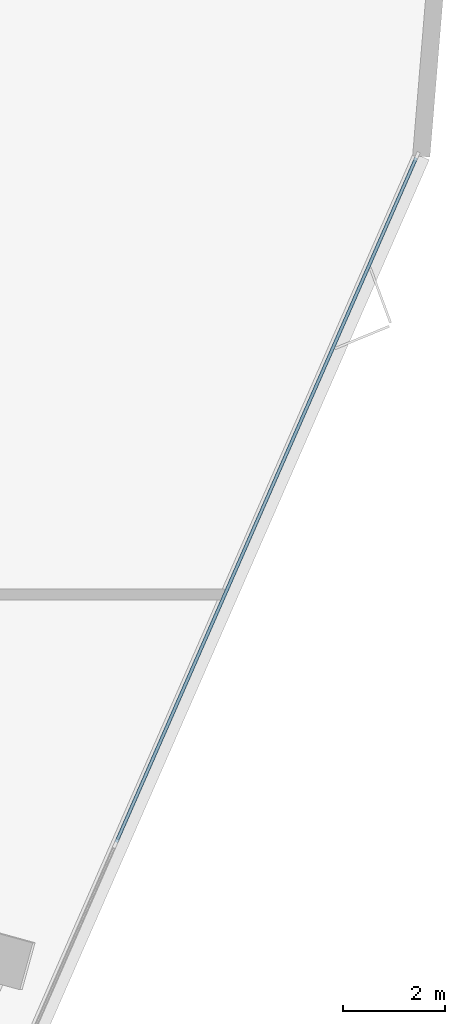
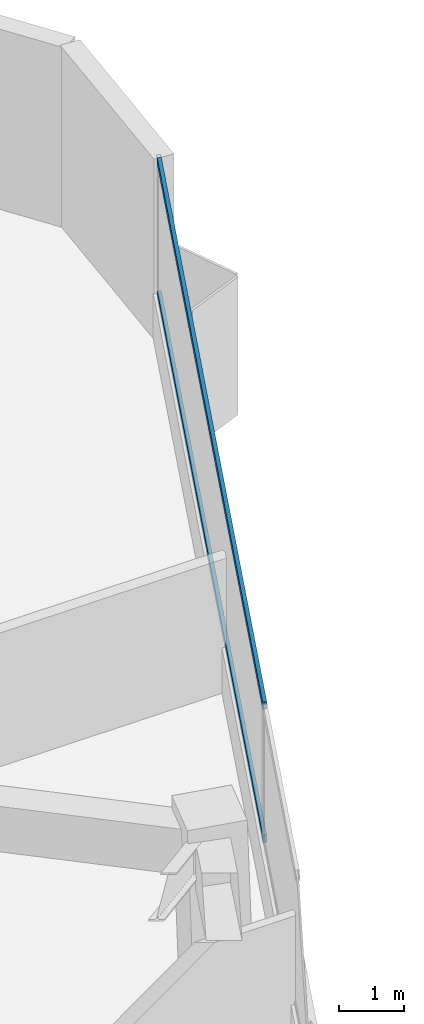
# One storey, part 10 of 20: 2 members, 1 element without a shape of its own.
"""IFC4 building model written with IfcOpenShell, lengths in metres."""

from ifc_helpers import new_model, si_unit, direction, frame, origin, origin_2d, place, context, subcontext, project, spatial, rectangle, extrude, material, layer, layer_set, material_profile, profile_set, type_object, element, aggregate, save


model = new_model("IFC4")

# Units and contexts
model_context = context("Model", 3, precision=1e-05, world=origin(), true_north=direction((0.0, 1.0)))
body_context = subcontext(model_context, "Body", "Model", "MODEL_VIEW")
ifc_project = project(units=[si_unit("LENGTHUNIT", "METRE"), si_unit("AREAUNIT", "SQUARE_METRE"), si_unit("VOLUMEUNIT", "CUBIC_METRE"), si_unit("PLANEANGLEUNIT", "RADIAN"), si_unit("MASSUNIT", "GRAM", prefix="KILO")], contexts=[model_context])

# Site, building, storey
site_placement = place(None, origin())
site = spatial("IfcSite", under=ifc_project, at=site_placement, CompositionType="ELEMENT")
building_placement = place(site_placement, origin())
building = spatial("IfcBuilding", under=site, at=building_placement, Name="Talyreon Biosciences Tower", CompositionType="ELEMENT")
storey_placement = place(building_placement, frame((0.0, 0.0, 26.449951171875)))
storey = spatial("IfcBuildingStorey", under=building, at=storey_placement, Name="L06", CompositionType="ELEMENT", Elevation=26.449951171875)

# Curtain wall, members
ifc_material_1 = material(Name="Thermally broken aluminium and low-E glazing", Category="aluminium")
ifc_layer = layer(ifc_material_1, 0.195068359375)
ifc_layer_set = layer_set([ifc_layer], Name="Thermally broken aluminium and low-E glazing")
curtain_wall_type = type_object("IfcCurtainWallType", Name="CurtainWall_Zone1WetLab", PredefinedType="NOTDEFINED", material=ifc_layer_set)
curtain_wall_placement = place(storey_placement, origin())
curtain_wall = element("IfcCurtainWall", 1, at=curtain_wall_placement, inside=storey, type_object=curtain_wall_type, Name="L06 Unitised Curtain Wall FCW-L06-08", PredefinedType="NOTDEFINED")
ifc_material_2 = material(Name="Anodised thermally broken aluminium", Category="aluminium")
ifc_material_profile = material_profile(ifc_material_2, rectangle(XDim=0.06494140625, YDim=0.139892578125, at=origin_2d()), Name="ALUM TRANSOM 65x140")
ifc_profile_set = profile_set([ifc_material_profile], Name="Anodised thermally broken aluminium")
member_type = type_object("IfcMemberType", Name="CWTransom_65x140", PredefinedType="USERDEFINED", material=ifc_profile_set)
member_1_placement = place(storey_placement, frame((100.27490234375, 85.23974609375, 0.842529296875), z_axis=(-0.401337753299, -0.915930132585, 0.0), x_axis=(0.915930132585, -0.401337753299, 0.0)))
member_1 = element("IfcMember", 2, at=member_1_placement, type_object=member_type, Name="CW2 transom 1.1", ObjectType="TRANSOM", PredefinedType="USERDEFINED", context=body_context, shape_type="SweptSolid", body=[
    extrude(rectangle(XDim=0.06494140625, YDim=0.139892578125, at=origin_2d()), origin(), (0.0, 0.0, 1.0), 14.65869140625),
])
member_2_placement = place(storey_placement, frame((100.27490234375, 85.23974609375, 3.342529296875), z_axis=(-0.401337753299, -0.915930132585, 0.0), x_axis=(0.915930132585, -0.401337753299, 0.0)))
member_2 = element("IfcMember", 3, at=member_2_placement, type_object=member_type, Name="CW2 transom 1.2", ObjectType="TRANSOM", PredefinedType="USERDEFINED", context=body_context, shape_type="SweptSolid", body=[
    extrude(rectangle(XDim=0.06494140625, YDim=0.139892578125, at=origin_2d()), origin(), (0.0, 0.0, 1.0), 14.65869140625),
])
aggregate(curtain_wall, [member_1, member_2])

save(model, "model.ifc")
